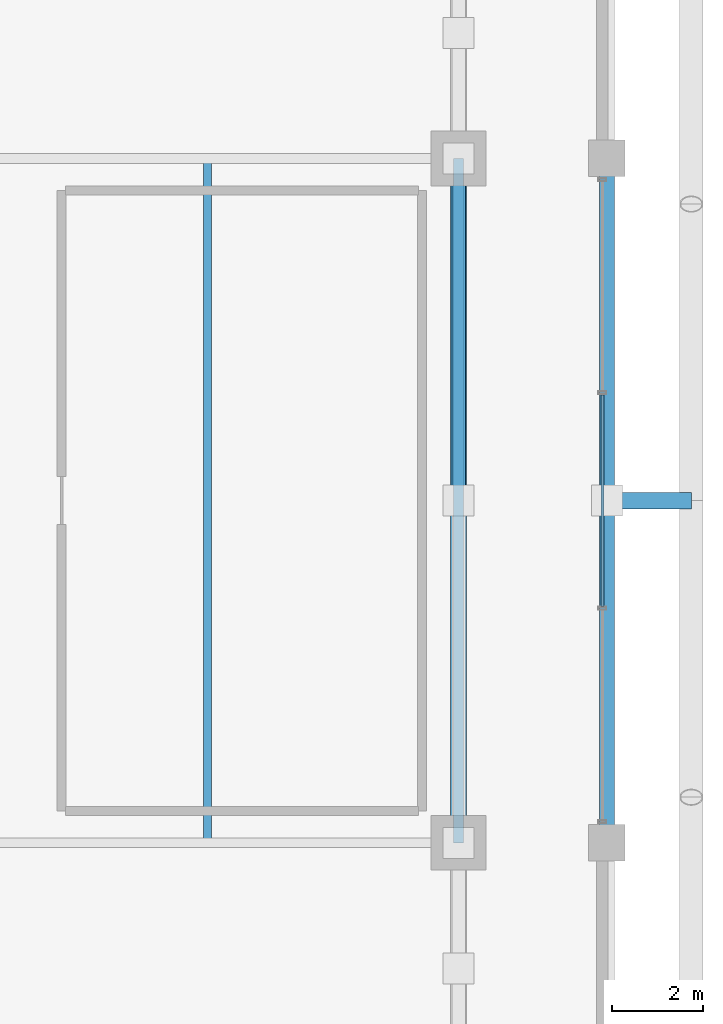
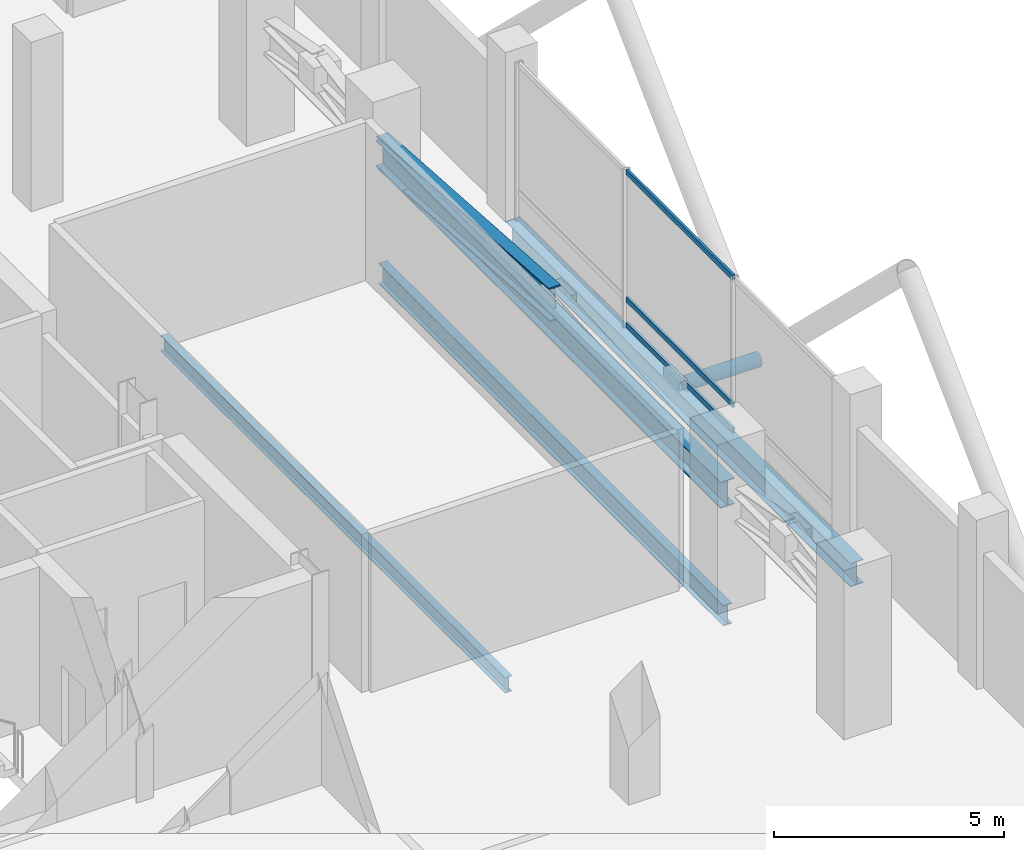
# One storey, part 10 of 22: 6 members, 3 beams, 1 element without a shape of its own.
"""IFC4 building model written with IfcOpenShell, lengths in metres."""

import ifcopenshell
import ifcopenshell.guid

model = None  # the IFC model being written
_history = None  # IfcOwnerHistory: only IFC2X3 demands one
_inside = {}  # id of a spatial element -> (the spatial element, [elements in it])
_under = {}  # id of a project, library or spatial element -> (it, [spatial elements below it])
_declared = {}  # id of a project -> (the project, [libraries it declares])
_typed = {}  # id of a type object -> (the type object, [elements of that type])
_made_of = {}  # id of a material, layer set ... -> (it, [elements and type objects made of it])


def new_model(schema):
    """Start an empty IFC model of exactly this schema.

    Asked for "IFC4X3", IfcOpenShell would pick the latest addendum, in which some entities
    have other attributes; the version numbers below select the first issue.
    IFC2X3 requires an IfcOwnerHistory on every rooted entity: one is made here for all.
    """
    global model, _history
    if schema == "IFC4X3":
        model = ifcopenshell.file(schema_version=(4, 3, 0, 0))
    else:
        model = ifcopenshell.file(schema=schema)
    _inside.clear()
    _under.clear()
    _declared.clear()
    _typed.clear()
    _made_of.clear()
    _history = None
    if model.schema == "IFC2X3":
        org = make("IfcOrganization", Name="unknown")
        user = make(
            "IfcPersonAndOrganization",
            ThePerson=make("IfcPerson", FamilyName="unknown"),
            TheOrganization=org,
        )
        app = make(
            "IfcApplication",
            ApplicationDeveloper=org,
            Version="unknown",
            ApplicationFullName="unknown",
            ApplicationIdentifier="unknown",
        )
        _history = make(
            "IfcOwnerHistory",
            OwningUser=user,
            OwningApplication=app,
            ChangeAction="ADDED",
            CreationDate=0,
        )
    return model


def make(cls, **values):
    """One entity of the class cls with the attributes given. An attribute that is None is left unset."""
    return model.create_entity(
        cls, **{name: value for name, value in values.items() if value is not None}
    )


def rooted(cls, **values):
    """An entity with a GlobalId (a new one), such as an element, a storey or a relation."""
    return make(cls, GlobalId=ifcopenshell.guid.new(), OwnerHistory=_history, **values)


def si_unit(unit_type, name, prefix=None):
    """IfcSIUnit, for example si_unit("LENGTHUNIT", "METRE", prefix="MILLI")."""
    return make("IfcSIUnit", UnitType=unit_type, Prefix=prefix, Name=name)


def assignment(units):
    """IfcUnitAssignment: the units of a project."""
    return None if units is None else make("IfcUnitAssignment", Units=units)


def point(xyz):
    """IfcCartesianPoint."""
    return None if xyz is None else make("IfcCartesianPoint", Coordinates=xyz)


def direction(xyz):
    """IfcDirection."""
    return None if xyz is None else make("IfcDirection", DirectionRatios=xyz)


def frame(location, z_axis=None, x_axis=None):
    """IfcAxis2Placement3D, a coordinate frame: its origin and axes. An axis left out is left unset."""
    return make(
        "IfcAxis2Placement3D",
        Location=point(location),
        Axis=direction(z_axis),
        RefDirection=direction(x_axis),
    )


def frame_2d(location, x_axis=None):
    """IfcAxis2Placement2D, a coordinate frame in the plane: its origin and x axis."""
    return make(
        "IfcAxis2Placement2D", Location=point(location), RefDirection=direction(x_axis)
    )


def origin():
    """The frame at (0, 0, 0) with its axes left unset."""
    return frame((0.0, 0.0, 0.0))


def origin_2d():
    """The frame at (0, 0) in the plane with its x axis left unset."""
    return frame_2d((0.0, 0.0))


def place(relative_to, where):
    """IfcLocalPlacement: puts the frame where relative to a parent placement (None: the world)."""
    return make(
        "IfcLocalPlacement", PlacementRelTo=relative_to, RelativePlacement=where
    )


def context(
    kind, dimensions, precision=None, world=None, true_north=None, identifier=None
):
    """IfcGeometricRepresentationContext, for example the 3D "Model" context."""
    return make(
        "IfcGeometricRepresentationContext",
        ContextIdentifier=identifier,
        ContextType=kind,
        CoordinateSpaceDimension=dimensions,
        Precision=precision,
        WorldCoordinateSystem=world,
        TrueNorth=true_north,
    )


def subcontext(parent, identifier, kind, view, scale=None):
    """IfcGeometricRepresentationSubContext, for example "Body" below "Model"."""
    return make(
        "IfcGeometricRepresentationSubContext",
        ContextIdentifier=identifier,
        ContextType=kind,
        ParentContext=parent,
        TargetScale=scale,
        TargetView=view,
    )


def project(units=None, contexts=None):
    """IfcProject with its units and contexts."""
    return rooted(
        "IfcProject",
        Name="project",
        RepresentationContexts=contexts,
        UnitsInContext=assignment(units),
    )


def spatial(cls, under=None, at=None, **own):
    """A site, building, storey or space (cls), placed at a placement, below another one or the project."""
    s = rooted(cls, ObjectPlacement=at, **own)
    if under is not None:
        _under.setdefault(under.id(), (under, []))[1].append(s)
    return s


def profile(cls, at=None, kind="AREA", **sizes):
    """A parametric profile (cls). Its sizes go by their IFC names, for example OverallWidth=200.0."""
    return make(cls, ProfileType=kind, Position=at, **sizes)


def hollow_rectangle(**sizes):
    """IfcRectangleHollowProfileDef."""
    return profile("IfcRectangleHollowProfileDef", **sizes)


def hollow_circle(**sizes):
    """IfcCircleHollowProfileDef."""
    return profile("IfcCircleHollowProfileDef", **sizes)


def i_section(**sizes):
    """IfcIShapeProfileDef."""
    return profile("IfcIShapeProfileDef", **sizes)


def extrude(swept, where, along, depth):
    """IfcExtrudedAreaSolid: the profile swept, set in the frame where, extruded along a direction by depth."""
    return make(
        "IfcExtrudedAreaSolid",
        SweptArea=swept,
        Position=where,
        ExtrudedDirection=direction(along),
        Depth=depth,
    )


def shape(context_of_items, identifier, shape_type, items):
    """IfcShapeRepresentation: the items that make up one representation, for example the "Body"."""
    return make(
        "IfcShapeRepresentation",
        ContextOfItems=context_of_items,
        RepresentationIdentifier=identifier,
        RepresentationType=shape_type,
        Items=items,
    )


def material(Name=None, Category=None):
    """IfcMaterial."""
    return make("IfcMaterial", Name=Name, Category=Category)


def layer(
    of_material, thickness, ventilated=None, Name=None, Category=None, Priority=None
):
    """IfcMaterialLayer: one layer of a wall or slab, of a material (None: an air gap)."""
    return make(
        "IfcMaterialLayer",
        Material=of_material,
        LayerThickness=thickness,
        IsVentilated=ventilated,
        Name=Name,
        Category=Category,
        Priority=Priority,
    )


def layer_set(layers, Name=None):
    """IfcMaterialLayerSet."""
    return make("IfcMaterialLayerSet", MaterialLayers=layers, LayerSetName=Name)


def material_profile(
    of_material, cross_section, Name=None, Category=None, Priority=None
):
    """IfcMaterialProfile: a cross section and its material."""
    return make(
        "IfcMaterialProfile",
        Name=Name,
        Material=of_material,
        Profile=cross_section,
        Priority=Priority,
        Category=Category,
    )


def profile_set(profiles, Name=None, composite=None):
    """IfcMaterialProfileSet."""
    return make(
        "IfcMaterialProfileSet",
        Name=Name,
        MaterialProfiles=profiles,
        CompositeProfile=composite,
    )


def made_of(thing, what):
    """Note that an element or type object is made of a material, layer set ...; save() writes the relation."""
    if what is not None:
        _made_of.setdefault(what.id(), (what, []))[1].append(thing)
    return thing


def type_object(cls, material=None, **own):
    """A type object (cls), such as IfcWallType, which elements share."""
    return made_of(rooted(cls, **own), material)


def element(
    cls,
    number,
    at=None,
    inside=None,
    cuts=None,
    type_object=None,
    material=None,
    context=None,
    identifier="Body",
    shape_type=None,
    held_by="IfcProductDefinitionShape",
    body=None,
    shapes=None,
    **own,
):
    """One element of the class cls, such as IfcWall. Its Tag is "e" and its number.

    at: its placement. inside: the storey or other place that contains it. cuts: it is an
    opening in that element (IfcRelVoidsElement). A single representation is given by context,
    identifier, shape_type and body (its items); several are given by shapes. held_by: the class
    of the entity that holds the representations. save() writes the other relations.
    """
    e = rooted(cls, Tag="e%d" % number, ObjectPlacement=at, **own)
    if body is not None:
        shapes = [shape(context, identifier, shape_type, body)]
    if shapes is not None:
        e.Representation = make(held_by, Representations=shapes)
    if inside is not None:
        _inside.setdefault(inside.id(), (inside, []))[1].append(e)
    if cuts is not None:
        rooted(
            "IfcRelVoidsElement", RelatingBuildingElement=cuts, RelatedOpeningElement=e
        )
    if type_object is not None:
        _typed.setdefault(type_object.id(), (type_object, []))[1].append(e)
    return made_of(e, material)


def aggregate(whole, parts):
    """IfcRelAggregates: a whole, such as a stair, and the parts it consists of."""
    return rooted("IfcRelAggregates", RelatingObject=whole, RelatedObjects=parts)


def save(model, path):
    """Write the relations noted so far, then the file.

    IfcRelAggregates (storeys below a building ...), IfcRelContainedInSpatialStructure (elements
    in a storey), IfcRelDefinesByType, IfcRelAssociatesMaterial and IfcRelDeclares: one each for
    every whole, place, type object, material and project.
    """
    for whole, parts in _under.values():
        aggregate(whole, parts)
    for where, things in _inside.values():
        rooted(
            "IfcRelContainedInSpatialStructure",
            RelatedElements=things,
            RelatingStructure=where,
        )
    for kind, things in _typed.values():
        rooted("IfcRelDefinesByType", RelatedObjects=things, RelatingType=kind)
    for what, things in _made_of.values():
        rooted("IfcRelAssociatesMaterial", RelatedObjects=things, RelatingMaterial=what)
    for by, libraries in _declared.values():
        rooted("IfcRelDeclares", RelatingContext=by, RelatedDefinitions=libraries)
    model.write(path)


model = new_model("IFC4")

# Units and contexts
model_context = context("Model", 3, precision=1e-05, world=origin(), true_north=direction((0.0, 1.0)))
body_context = subcontext(model_context, "Body", "Model", "MODEL_VIEW")
ifc_project = project(units=[si_unit("LENGTHUNIT", "METRE"), si_unit("AREAUNIT", "SQUARE_METRE"), si_unit("VOLUMEUNIT", "CUBIC_METRE"), si_unit("PLANEANGLEUNIT", "RADIAN"), si_unit("MASSUNIT", "GRAM", prefix="KILO")], contexts=[model_context])

# Site, building, storey
site_placement = place(None, origin())
site = spatial("IfcSite", under=ifc_project, at=site_placement, CompositionType="ELEMENT")
building_placement = place(site_placement, origin())
building = spatial("IfcBuilding", under=site, at=building_placement, Name="Barlavira Tower and Art Museum", CompositionType="ELEMENT")
storey_placement = place(building_placement, frame((0.0, 0.0, 120.60009765625)))
storey = spatial("IfcBuildingStorey", under=building, at=storey_placement, Name="L30", CompositionType="ELEMENT", Elevation=120.60009765625)

# Members
ifc_material_1 = material(Name="Steel S355", Category="steel")
ifc_material_profile_1 = material_profile(ifc_material_1, i_section(OverallWidth=0.35595703125, OverallDepth=0.695068359375, WebThickness=0.014892578125, FlangeThickness=0.023681640625, at=origin_2d()), Name="W690x192.0")
ifc_profile_set_1 = profile_set([ifc_material_profile_1], Name="Steel S355")
member_type_1 = type_object("IfcMemberType", Name="Belt Truss Chord Member W690x192 Steel S355", PredefinedType="CHORD", material=ifc_profile_set_1)
member_1_placement = place(storey_placement, frame((17.0, -7.5, 2.64990234375), z_axis=(0.0, 1.0, 0.0), x_axis=(-1.0, 0.0, 0.0)))
element("IfcMember", 1, at=member_1_placement, inside=storey, type_object=member_type_1, Name="L30 Belt Truss Bottom Chord BE2", PredefinedType="CHORD", context=body_context, shape_type="SweptSolid", body=[
    extrude(i_section(OverallWidth=0.35595703125, OverallDepth=0.695068359375, WebThickness=0.014892578125, FlangeThickness=0.023681640625, at=origin_2d()), origin(), (0.0, 0.0, 1.0), 15.0),
])
ifc_material_profile_2 = material_profile(ifc_material_1, i_section(OverallWidth=0.2939453125, OverallDepth=0.85107421875, WebThickness=0.017333984375, FlangeThickness=0.0283203125, at=origin_2d()), Name="W840x251.0")
ifc_profile_set_2 = profile_set([ifc_material_profile_2], Name="Steel S355")
member_type_2 = type_object("IfcMemberType", Name="Belt Truss Diagonal Brace W840x251 Steel S355", PredefinedType="BRACE", material=ifc_profile_set_2)
member_2_placement = place(storey_placement, frame((17.0, 0.0, 3.14990234375), z_axis=(0.0, 0.997785157857, -0.066519010524), x_axis=(-1.0, 0.0, 0.0)))
element("IfcMember", 2, at=member_2_placement, inside=storey, type_object=member_type_2, Name="L30 Belt Truss Diagonal BE2-2", PredefinedType="BRACE", context=body_context, shape_type="SweptSolid", body=[
    extrude(i_section(OverallWidth=0.2939453125, OverallDepth=0.85107421875, WebThickness=0.017333984375, FlangeThickness=0.0283203125, at=origin_2d()), origin(), (0.0, 0.0, 1.0), 7.5166015625),
])

# Curtain wall, members
ifc_material_2 = material(Name="Low-iron coastal laminated glass", Category="glass")
ifc_layer = layer(ifc_material_2, 0.18994140625, Name="Low-iron coastal laminated glass")
ifc_layer_set = layer_set([ifc_layer], Name="Low-iron coastal laminated glass")
curtain_wall_type = type_object("IfcCurtainWallType", Name="Pale-Metal Unitised Curtain Wall Zone 2", PredefinedType="NOTDEFINED", material=ifc_layer_set)
curtain_wall_placement = place(storey_placement, origin())
curtain_wall = element("IfcCurtainWall", 3, at=curtain_wall_placement, inside=storey, type_object=curtain_wall_type, Name="L30 Curtain Wall CW2-L30-E-B3", PredefinedType="NOTDEFINED")
ifc_material_3 = material(Name="Pale anodised aluminium", Category="aluminium")
ifc_material_profile_3 = material_profile(ifc_material_3, hollow_rectangle(XDim=0.06494140625, YDim=0.139892578125, WallThickness=0.00390625, at=origin_2d()), Name="ALU-TRAN 65x140x4")
ifc_profile_set_3 = profile_set([ifc_material_profile_3], Name="Pale anodised aluminium")
member_type_3 = type_object("IfcMemberType", Name="Curtain Wall Pale-Metal Transom 65x140", PredefinedType="USERDEFINED", material=ifc_profile_set_3)
member_3_placement = place(storey_placement, frame((20.14990234375, -2.31494140625, 0.06982421875), z_axis=(0.0, 1.0, 0.0), x_axis=(-1.0, 0.0, 0.0)))
member_3 = element("IfcMember", 4, at=member_3_placement, type_object=member_type_3, Name="CW2-L30-E-B3 Transom 1.1", ObjectType="TRANSOM", PredefinedType="USERDEFINED", context=body_context, shape_type="SweptSolid", body=[
    extrude(hollow_rectangle(XDim=0.06494140625, YDim=0.139892578125, WallThickness=0.00390625, at=origin_2d()), origin(), (0.0, 0.0, 1.0), 4.6298828125),
])
member_4_placement = place(storey_placement, frame((20.14990234375, -2.31494140625, 0.75), z_axis=(0.0, 1.0, 0.0), x_axis=(-1.0, 0.0, 0.0)))
member_4 = element("IfcMember", 5, at=member_4_placement, type_object=member_type_3, Name="CW2-L30-E-B3 Transom 1.2", ObjectType="TRANSOM", PredefinedType="USERDEFINED", context=body_context, shape_type="SweptSolid", body=[
    extrude(hollow_rectangle(XDim=0.06494140625, YDim=0.139892578125, WallThickness=0.00390625, at=origin_2d()), origin(), (0.0, 0.0, 1.0), 4.6298828125),
])
member_5_placement = place(storey_placement, frame((20.14990234375, -2.31494140625, 4.1298828125), z_axis=(0.0, 1.0, 0.0), x_axis=(-1.0, 0.0, 0.0)))
member_5 = element("IfcMember", 6, at=member_5_placement, type_object=member_type_3, Name="CW2-L30-E-B3 Transom 1.3", ObjectType="TRANSOM", PredefinedType="USERDEFINED", context=body_context, shape_type="SweptSolid", body=[
    extrude(hollow_rectangle(XDim=0.06494140625, YDim=0.139892578125, WallThickness=0.00390625, at=origin_2d()), origin(), (0.0, 0.0, 1.0), 4.6298828125),
])
aggregate(curtain_wall, [member_3, member_4, member_5])

# Member
ifc_material_profile_4 = material_profile(ifc_material_1, hollow_circle(Radius=0.177734375, WallThickness=0.01611328125, at=origin_2d()), Name="CHS 355.6x16.0")
ifc_profile_set_4 = profile_set([ifc_material_profile_4], Name="Steel S355")
member_type_4 = type_object("IfcMemberType", Name="Pale-Metal Exoskeleton Tie Strut CHS 356x16 Steel S355", PredefinedType="STRUT", material=ifc_profile_set_4)
member_6_placement = place(storey_placement, frame((22.10009765625, 0.0, -0.1201171875), z_axis=(-1.0, 0.0, 0.0), x_axis=(0.0, -1.0, 0.0)))
element("IfcMember", 7, at=member_6_placement, inside=storey, type_object=member_type_4, Name="L30 Exoskeleton Tie Strut E2", PredefinedType="STRUT", context=body_context, shape_type="SweptSolid", body=[
    extrude(hollow_circle(Radius=0.177734375, WallThickness=0.01611328125, at=origin_2d()), origin(), (0.0, 0.0, 1.0), 1.85009765625),
])

# Beams
ifc_material_profile_5 = material_profile(ifc_material_1, i_section(OverallWidth=0.327880859375, OverallDepth=0.62890625, WebThickness=0.013916015625, FlangeThickness=0.021484375, at=origin_2d()), Name="W610x174.0")
ifc_profile_set_5 = profile_set([ifc_material_profile_5], Name="Steel S355")
beam_type_1 = type_object("IfcBeamType", Name="Perimeter Spandrel Edge Beam W610x174 Steel S355", PredefinedType="SPANDREL", material=ifc_profile_set_5)
beam_1_placement = place(storey_placement, frame((20.25, -7.5, -0.614501953125), z_axis=(0.0, 1.0, 0.0), x_axis=(-1.0, 0.0, 0.0)))
element("IfcBeam", 8, at=beam_1_placement, inside=storey, type_object=beam_type_1, Name="L30 Spandrel 6", PredefinedType="SPANDREL", context=body_context, shape_type="SweptSolid", body=[
    extrude(i_section(OverallWidth=0.327880859375, OverallDepth=0.62890625, WebThickness=0.013916015625, FlangeThickness=0.021484375, at=origin_2d()), origin(), (0.0, 0.0, 1.0), 15.0),
])
ifc_material_profile_6 = material_profile(ifc_material_1, i_section(OverallWidth=0.214111328125, OverallDepth=0.549072265625, WebThickness=0.0146484375, FlangeThickness=0.023681640625, at=origin_2d()), Name="W530x138.0")
ifc_profile_set_6 = profile_set([ifc_material_profile_6], Name="Steel S355")
beam_type_2 = type_object("IfcBeamType", Name="Zone 1 Primary Floor Girder W530x138 Steel S355", PredefinedType="BEAM", material=ifc_profile_set_6)
beam_2_placement = place(storey_placement, frame((17.0, -7.5, -0.57470703125), z_axis=(0.0, 1.0, 0.0), x_axis=(-1.0, 0.0, 0.0)))
element("IfcBeam", 9, at=beam_2_placement, inside=storey, type_object=beam_type_2, Name="L30 Girder M-E2", PredefinedType="BEAM", context=body_context, shape_type="SweptSolid", body=[
    extrude(i_section(OverallWidth=0.214111328125, OverallDepth=0.549072265625, WebThickness=0.0146484375, FlangeThickness=0.023681640625, at=origin_2d()), origin(), (0.0, 0.0, 1.0), 15.0),
])
ifc_material_profile_7 = material_profile(ifc_material_1, i_section(OverallWidth=0.179931640625, OverallDepth=0.4130859375, WebThickness=0.009765625, FlangeThickness=0.01611328125, at=origin_2d()), Name="W410x75.0")
ifc_profile_set_7 = profile_set([ifc_material_profile_7], Name="Steel S355")
beam_type_3 = type_object("IfcBeamType", Name="Zone 2 Composite Floor Joist W410x75 Steel S355", PredefinedType="JOIST", material=ifc_profile_set_7)
beam_3_placement = place(storey_placement, frame((11.5, -7.5, -0.506591796875), z_axis=(0.0, 1.0, 0.0), x_axis=(-1.0, 0.0, 0.0)))
element("IfcBeam", 10, at=beam_3_placement, inside=storey, type_object=beam_type_3, Name="L30 Joist W2", PredefinedType="JOIST", context=body_context, shape_type="SweptSolid", body=[
    extrude(i_section(OverallWidth=0.179931640625, OverallDepth=0.4130859375, WebThickness=0.009765625, FlangeThickness=0.01611328125, at=origin_2d()), origin(), (0.0, 0.0, 1.0), 15.0),
])

save(model, "model.ifc")
